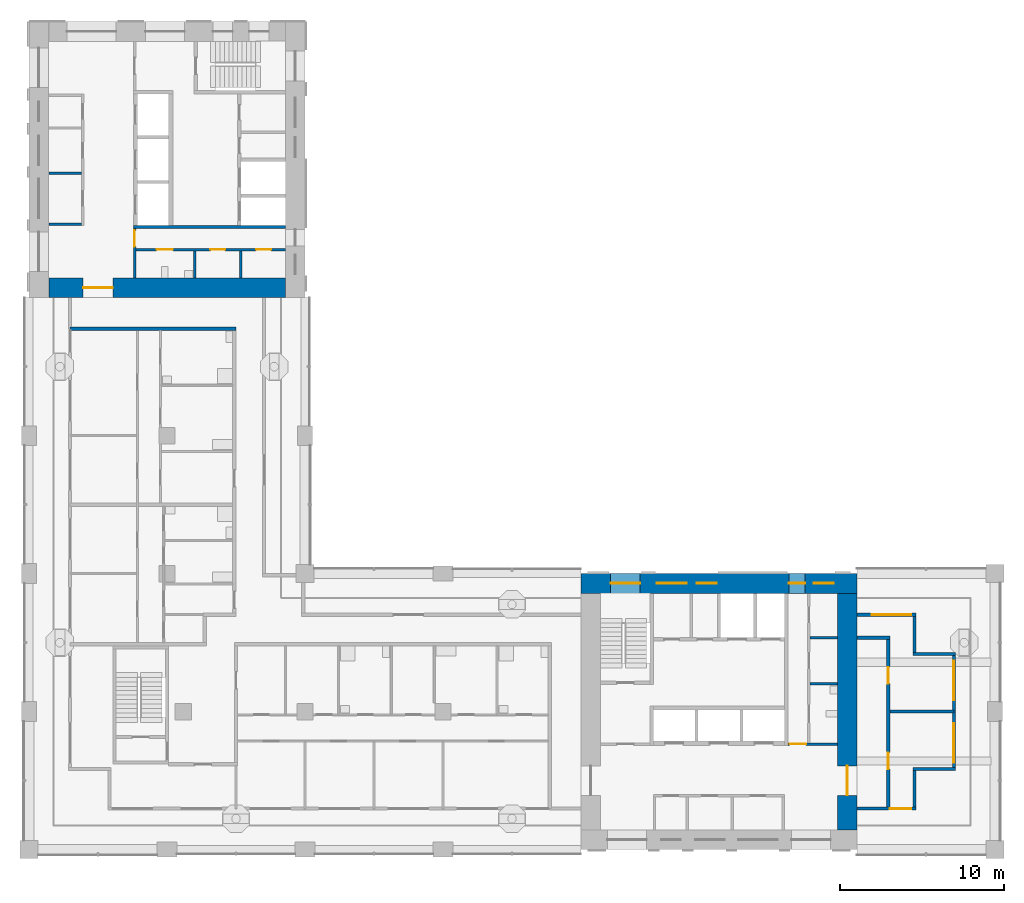
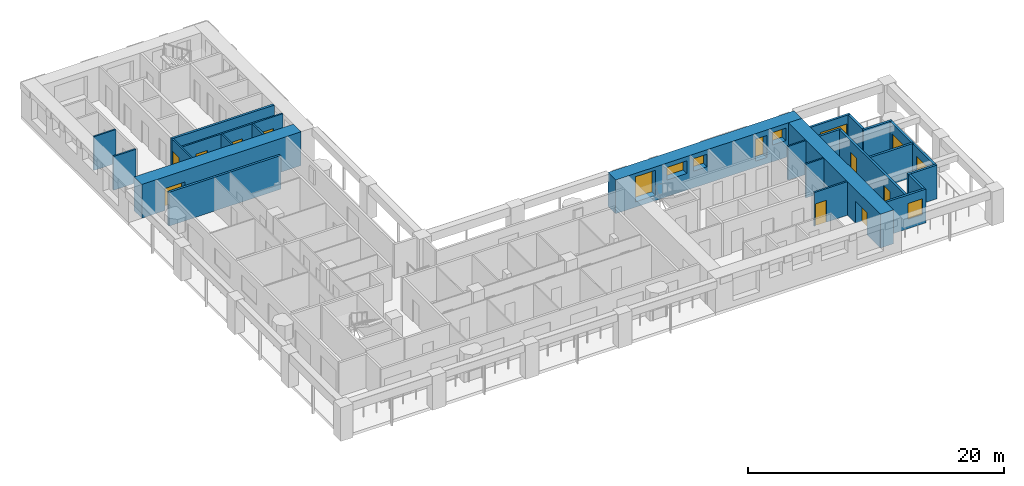
# One storey, part 5 of 13: 24 walls, 10 doors, 8 windows, 18 openings.
"""IFC4 building model written with IfcOpenShell, lengths in metres."""

import ifcopenshell
import ifcopenshell.guid

model = None  # the IFC model being written
_history = None  # IfcOwnerHistory: only IFC2X3 demands one
_inside = {}  # id of a spatial element -> (the spatial element, [elements in it])
_under = {}  # id of a project, library or spatial element -> (it, [spatial elements below it])
_declared = {}  # id of a project -> (the project, [libraries it declares])
_typed = {}  # id of a type object -> (the type object, [elements of that type])
_made_of = {}  # id of a material, layer set ... -> (it, [elements and type objects made of it])


def new_model(schema):
    """Start an empty IFC model of exactly this schema.

    Asked for "IFC4X3", IfcOpenShell would pick the latest addendum, in which some entities
    have other attributes; the version numbers below select the first issue.
    IFC2X3 requires an IfcOwnerHistory on every rooted entity: one is made here for all.
    """
    global model, _history
    if schema == "IFC4X3":
        model = ifcopenshell.file(schema_version=(4, 3, 0, 0))
    else:
        model = ifcopenshell.file(schema=schema)
    _inside.clear()
    _under.clear()
    _declared.clear()
    _typed.clear()
    _made_of.clear()
    _history = None
    if model.schema == "IFC2X3":
        org = make("IfcOrganization", Name="unknown")
        user = make(
            "IfcPersonAndOrganization",
            ThePerson=make("IfcPerson", FamilyName="unknown"),
            TheOrganization=org,
        )
        app = make(
            "IfcApplication",
            ApplicationDeveloper=org,
            Version="unknown",
            ApplicationFullName="unknown",
            ApplicationIdentifier="unknown",
        )
        _history = make(
            "IfcOwnerHistory",
            OwningUser=user,
            OwningApplication=app,
            ChangeAction="ADDED",
            CreationDate=0,
        )
    return model


def make(cls, **values):
    """One entity of the class cls with the attributes given. An attribute that is None is left unset."""
    return model.create_entity(
        cls, **{name: value for name, value in values.items() if value is not None}
    )


def rooted(cls, **values):
    """An entity with a GlobalId (a new one), such as an element, a storey or a relation."""
    return make(cls, GlobalId=ifcopenshell.guid.new(), OwnerHistory=_history, **values)


def si_unit(unit_type, name, prefix=None):
    """IfcSIUnit, for example si_unit("LENGTHUNIT", "METRE", prefix="MILLI")."""
    return make("IfcSIUnit", UnitType=unit_type, Prefix=prefix, Name=name)


def assignment(units):
    """IfcUnitAssignment: the units of a project."""
    return None if units is None else make("IfcUnitAssignment", Units=units)


def point(xyz):
    """IfcCartesianPoint."""
    return None if xyz is None else make("IfcCartesianPoint", Coordinates=xyz)


def direction(xyz):
    """IfcDirection."""
    return None if xyz is None else make("IfcDirection", DirectionRatios=xyz)


def frame(location, z_axis=None, x_axis=None):
    """IfcAxis2Placement3D, a coordinate frame: its origin and axes. An axis left out is left unset."""
    return make(
        "IfcAxis2Placement3D",
        Location=point(location),
        Axis=direction(z_axis),
        RefDirection=direction(x_axis),
    )


def frame_2d(location, x_axis=None):
    """IfcAxis2Placement2D, a coordinate frame in the plane: its origin and x axis."""
    return make(
        "IfcAxis2Placement2D", Location=point(location), RefDirection=direction(x_axis)
    )


def origin():
    """The frame at (0, 0, 0) with its axes left unset."""
    return frame((0.0, 0.0, 0.0))


def place(relative_to, where):
    """IfcLocalPlacement: puts the frame where relative to a parent placement (None: the world)."""
    return make(
        "IfcLocalPlacement", PlacementRelTo=relative_to, RelativePlacement=where
    )


def context(
    kind, dimensions, precision=None, world=None, true_north=None, identifier=None
):
    """IfcGeometricRepresentationContext, for example the 3D "Model" context."""
    return make(
        "IfcGeometricRepresentationContext",
        ContextIdentifier=identifier,
        ContextType=kind,
        CoordinateSpaceDimension=dimensions,
        Precision=precision,
        WorldCoordinateSystem=world,
        TrueNorth=true_north,
    )


def subcontext(parent, identifier, kind, view, scale=None):
    """IfcGeometricRepresentationSubContext, for example "Body" below "Model"."""
    return make(
        "IfcGeometricRepresentationSubContext",
        ContextIdentifier=identifier,
        ContextType=kind,
        ParentContext=parent,
        TargetScale=scale,
        TargetView=view,
    )


def project(units=None, contexts=None):
    """IfcProject with its units and contexts."""
    return rooted(
        "IfcProject",
        Name="project",
        RepresentationContexts=contexts,
        UnitsInContext=assignment(units),
    )


def spatial(cls, under=None, at=None, **own):
    """A site, building, storey or space (cls), placed at a placement, below another one or the project."""
    s = rooted(cls, ObjectPlacement=at, **own)
    if under is not None:
        _under.setdefault(under.id(), (under, []))[1].append(s)
    return s


def profile(cls, at=None, kind="AREA", **sizes):
    """A parametric profile (cls). Its sizes go by their IFC names, for example OverallWidth=200.0."""
    return make(cls, ProfileType=kind, Position=at, **sizes)


def rectangle(**sizes):
    """IfcRectangleProfileDef."""
    return profile("IfcRectangleProfileDef", **sizes)


def extrude(swept, where, along, depth):
    """IfcExtrudedAreaSolid: the profile swept, set in the frame where, extruded along a direction by depth."""
    return make(
        "IfcExtrudedAreaSolid",
        SweptArea=swept,
        Position=where,
        ExtrudedDirection=direction(along),
        Depth=depth,
    )


def shape(context_of_items, identifier, shape_type, items):
    """IfcShapeRepresentation: the items that make up one representation, for example the "Body"."""
    return make(
        "IfcShapeRepresentation",
        ContextOfItems=context_of_items,
        RepresentationIdentifier=identifier,
        RepresentationType=shape_type,
        Items=items,
    )


def material(Name=None, Category=None):
    """IfcMaterial."""
    return make("IfcMaterial", Name=Name, Category=Category)


def layer(
    of_material, thickness, ventilated=None, Name=None, Category=None, Priority=None
):
    """IfcMaterialLayer: one layer of a wall or slab, of a material (None: an air gap)."""
    return make(
        "IfcMaterialLayer",
        Material=of_material,
        LayerThickness=thickness,
        IsVentilated=ventilated,
        Name=Name,
        Category=Category,
        Priority=Priority,
    )


def layer_set(layers, Name=None):
    """IfcMaterialLayerSet."""
    return make("IfcMaterialLayerSet", MaterialLayers=layers, LayerSetName=Name)


def made_of(thing, what):
    """Note that an element or type object is made of a material, layer set ...; save() writes the relation."""
    if what is not None:
        _made_of.setdefault(what.id(), (what, []))[1].append(thing)
    return thing


def type_object(cls, material=None, **own):
    """A type object (cls), such as IfcWallType, which elements share."""
    return made_of(rooted(cls, **own), material)


def element(
    cls,
    number,
    at=None,
    inside=None,
    cuts=None,
    type_object=None,
    material=None,
    context=None,
    identifier="Body",
    shape_type=None,
    held_by="IfcProductDefinitionShape",
    body=None,
    shapes=None,
    **own,
):
    """One element of the class cls, such as IfcWall. Its Tag is "e" and its number.

    at: its placement. inside: the storey or other place that contains it. cuts: it is an
    opening in that element (IfcRelVoidsElement). A single representation is given by context,
    identifier, shape_type and body (its items); several are given by shapes. held_by: the class
    of the entity that holds the representations. save() writes the other relations.
    """
    e = rooted(cls, Tag="e%d" % number, ObjectPlacement=at, **own)
    if body is not None:
        shapes = [shape(context, identifier, shape_type, body)]
    if shapes is not None:
        e.Representation = make(held_by, Representations=shapes)
    if inside is not None:
        _inside.setdefault(inside.id(), (inside, []))[1].append(e)
    if cuts is not None:
        rooted(
            "IfcRelVoidsElement", RelatingBuildingElement=cuts, RelatedOpeningElement=e
        )
    if type_object is not None:
        _typed.setdefault(type_object.id(), (type_object, []))[1].append(e)
    return made_of(e, material)


def fill(opening, filler):
    """IfcRelFillsElement: the door or window that sits in an opening."""
    return rooted(
        "IfcRelFillsElement",
        RelatingOpeningElement=opening,
        RelatedBuildingElement=filler,
    )


def aggregate(whole, parts):
    """IfcRelAggregates: a whole, such as a stair, and the parts it consists of."""
    return rooted("IfcRelAggregates", RelatingObject=whole, RelatedObjects=parts)


def save(model, path):
    """Write the relations noted so far, then the file.

    IfcRelAggregates (storeys below a building ...), IfcRelContainedInSpatialStructure (elements
    in a storey), IfcRelDefinesByType, IfcRelAssociatesMaterial and IfcRelDeclares: one each for
    every whole, place, type object, material and project.
    """
    for whole, parts in _under.values():
        aggregate(whole, parts)
    for where, things in _inside.values():
        rooted(
            "IfcRelContainedInSpatialStructure",
            RelatedElements=things,
            RelatingStructure=where,
        )
    for kind, things in _typed.values():
        rooted("IfcRelDefinesByType", RelatedObjects=things, RelatingType=kind)
    for what, things in _made_of.values():
        rooted("IfcRelAssociatesMaterial", RelatedObjects=things, RelatingMaterial=what)
    for by, libraries in _declared.values():
        rooted("IfcRelDeclares", RelatingContext=by, RelatedDefinitions=libraries)
    model.write(path)


model = new_model("IFC4")

# Units and contexts
model_context = context("Model", 3, precision=1e-05, world=origin(), true_north=direction((0.0, 1.0)))
body_context = subcontext(model_context, "Body", "Model", "MODEL_VIEW")
ifc_project = project(units=[si_unit("LENGTHUNIT", "METRE"), si_unit("AREAUNIT", "SQUARE_METRE"), si_unit("VOLUMEUNIT", "CUBIC_METRE"), si_unit("PLANEANGLEUNIT", "RADIAN"), si_unit("MASSUNIT", "GRAM", prefix="KILO")], contexts=[model_context])

# Site, building, storey
site_placement = place(None, origin())
site = spatial("IfcSite", under=ifc_project, at=site_placement, CompositionType="ELEMENT")
building_placement = place(site_placement, origin())
building = spatial("IfcBuilding", under=site, at=building_placement, Name="Vermilion Gate Residences", CompositionType="ELEMENT")
storey_placement = place(building_placement, frame((0.0, 0.0, 151.199951171875)))
storey = spatial("IfcBuildingStorey", under=building, at=storey_placement, Name="L38", CompositionType="ELEMENT", Elevation=151.199951171875)

# Wall, opening, door
ifc_material_1 = material(Name="Masonry blockwork", Category="masonry")
ifc_layer_1 = layer(ifc_material_1, 0.14990234375)
ifc_layer_set_1 = layer_set([ifc_layer_1], Name="BLOCKWORK PARTITION 150 EI 120")
wall_type_1 = type_object("IfcWallType", Name="BLOCKWORK PARTITION 150 EI 120", PredefinedType="PARTITIONING", material=ifc_layer_set_1)
wall_1_placement = place(storey_placement, frame((54.60009765625, 14.824951171875, 0.0), z_axis=(0.0, 0.0, 1.0), x_axis=(1.0, 0.0, 0.0)))
wall_1 = element("IfcWall", 1, at=wall_1_placement, inside=storey, type_object=wall_type_1, Name="Core room partition A38-ES-S", PredefinedType="PARTITIONING", context=body_context, shape_type="SweptSolid", body=[
    extrude(rectangle(XDim=3.0, YDim=0.14990234375, at=frame_2d((1.5, 0.0))), origin(), (0.0, 0.0, 1.0), 3.219970703125),
])
opening_1_placement = place(wall_1_placement, frame((0.10009765625, 0.0, 0.0)))
opening_1 = element("IfcOpeningElement", 2, at=opening_1_placement, cuts=wall_1, Name="Opening DK38015", PredefinedType="OPENING", context=body_context, shape_type="SweptSolid", body=[
    extrude(rectangle(XDim=1.0, YDim=2.10009765625, at=frame_2d((0.5, 1.050048828125))), frame((0.0, 0.0849609375, 0.0), z_axis=(0.0, -1.0, 0.0), x_axis=(1.0, 0.0, 0.0)), (0.0, 0.0, 1.0), 0.169921875),
])
ifc_material_2 = material(Name="Steel", Category="steel")
door_type_1 = type_object("IfcDoorType", Name="FIRE DOOR FD60 1000 X 2100", OperationType="SINGLE_SWING_LEFT", PredefinedType="DOOR", material=ifc_material_2)
door_1_placement = place(opening_1_placement, frame((1.0, 0.0, 0.0), z_axis=(0.0, 0.0, 1.0), x_axis=(-1.0, 0.0, 0.0)))
door_1 = element("IfcDoor", 3, at=door_1_placement, inside=storey, type_object=door_type_1, Name="Service corridor door A38", OperationType="SINGLE_SWING_LEFT", OverallHeight=2.10009765625, OverallWidth=1.0, PredefinedType="DOOR", context=body_context, shape_type="SweptSolid", body=[
    extrude(rectangle(XDim=1.0, YDim=2.10009765625, at=frame_2d((0.5, 1.050048828125))), frame((0.0, 0.02490234375, 0.0), z_axis=(0.0, -1.0, 0.0), x_axis=(1.0, 0.0, 0.0)), (0.0, 0.0, 1.0), 0.050048828125),
])
fill(opening_1, door_1)

# Walls
for number, where, z_axis, x_axis, name in (
    (4, (55.949951171875, 18.4951171875, 0.0), (0.0, 0.0, 1.0), (1.0, 0.0, 0.0), "Core room partition A38-ES-P0"),
    (5, (55.949951171875, 21.284912109375, 0.0), (0.0, 0.0, 1.0), (1.0, 0.0, 0.0), "Core room partition A38-ES-P1"),
):
    element("IfcWall", number, at=place(storey_placement, frame(where, z_axis=z_axis, x_axis=x_axis)), inside=storey, type_object=wall_type_1, Name=name, PredefinedType="PARTITIONING", context=body_context, shape_type="SweptSolid", body=[
        extrude(rectangle(XDim=1.650146484375, YDim=0.14990234375, at=frame_2d((0.8251953125, 0.0))), origin(), (0.0, 0.0, 1.0), 3.219970703125),
    ])
for number, where, z_axis, x_axis, name in (
    (6, (9.60009765625, 46.47509765625, 0.0), (0.0, 0.0, 1.0), (1.0, 0.0, 0.0), "Core room partition B38-RW-E"),
    (7, (9.60009765625, 49.5849609375, 0.0), (0.0, 0.0, 1.0), (1.0, 0.0, 0.0), "Core room partition B38-SR-P1"),
):
    element("IfcWall", number, at=place(storey_placement, frame(where, z_axis=z_axis, x_axis=x_axis)), inside=storey, type_object=wall_type_1, Name=name, PredefinedType="PARTITIONING", context=body_context, shape_type="SweptSolid", body=[
        extrude(rectangle(XDim=2.0, YDim=0.14990234375, at=frame_2d((1.0, 0.0))), origin(), (0.0, 0.0, 1.0), 3.219970703125),
    ])

# Wall, opening, door
wall_2_placement = place(storey_placement, frame((14.824951171875, 46.199951171875, 0.0), z_axis=(0.0, 0.0, 1.0), x_axis=(0.0, -1.0, 0.0)))
wall_2 = element("IfcWall", 8, at=wall_2_placement, inside=storey, type_object=wall_type_1, Name="Core room partition B38-ES-S", PredefinedType="PARTITIONING", context=body_context, shape_type="SweptSolid", body=[
    extrude(rectangle(XDim=3.0, YDim=0.14990234375, at=frame_2d((1.5, 0.0))), origin(), (0.0, 0.0, 1.0), 3.219970703125),
])
opening_2_placement = place(wall_2_placement, frame((0.10009765625, 0.0, 0.0)))
opening_2 = element("IfcOpeningElement", 9, at=opening_2_placement, cuts=wall_2, Name="Opening DK38114", PredefinedType="OPENING", context=body_context, shape_type="SweptSolid", body=[
    extrude(rectangle(XDim=1.0, YDim=2.10009765625, at=frame_2d((0.5, 1.050048828125))), frame((0.0, 0.0849609375, 0.0), z_axis=(0.0, -1.0, 0.0), x_axis=(1.0, 0.0, 0.0)), (0.0, 0.0, 1.0), 0.169921875),
])
door_2_placement = place(opening_2_placement, frame((1.0, 0.0, 0.0), z_axis=(0.0, 0.0, 1.0), x_axis=(-1.0, 0.0, 0.0)))
door_2 = element("IfcDoor", 10, at=door_2_placement, inside=storey, type_object=door_type_1, Name="Service corridor door B38", OperationType="SINGLE_SWING_LEFT", OverallHeight=2.10009765625, OverallWidth=1.0, PredefinedType="DOOR", context=body_context, shape_type="SweptSolid", body=[
    extrude(rectangle(XDim=1.0, YDim=2.10009765625, at=frame_2d((0.5, 1.050048828125))), frame((0.0, 0.02490234375, 0.0), z_axis=(0.0, -1.0, 0.0), x_axis=(1.0, 0.0, 0.0)), (0.0, 0.0, 1.0), 0.050048828125),
])
fill(opening_2, door_2)

# Walls
for number, where, z_axis, x_axis, name in (
    (11, (18.4951171875, 44.85009765625, 0.0), (0.0, 0.0, 1.0), (0.0, -1.0, 0.0), "Core room partition B38-ES-P0"),
    (12, (21.284912109375, 44.85009765625, 0.0), (0.0, 0.0, 1.0), (0.0, -1.0, 0.0), "Core room partition B38-ES-P1"),
):
    element("IfcWall", number, at=place(storey_placement, frame(where, z_axis=z_axis, x_axis=x_axis)), inside=storey, type_object=wall_type_1, Name=name, PredefinedType="PARTITIONING", context=body_context, shape_type="SweptSolid", body=[
        extrude(rectangle(XDim=1.650146484375, YDim=0.14990234375, at=frame_2d((0.8251953125, 0.0))), origin(), (0.0, 0.0, 1.0), 3.219970703125),
    ])

# Wall, openings, doors
wall_3_placement = place(storey_placement, frame((14.89990234375, 44.925048828125, 0.0), z_axis=(0.0, 0.0, 1.0), x_axis=(1.0, 0.0, 0.0)))
wall_3 = element("IfcWall", 13, at=wall_3_placement, inside=storey, type_object=wall_type_1, Name="Core room partition B38-ES-W", PredefinedType="PARTITIONING", context=body_context, shape_type="SweptSolid", body=[
    extrude(rectangle(XDim=9.10009765625, YDim=0.14990234375, at=frame_2d((4.550048828125, 0.0))), origin(), (0.0, 0.0, 1.0), 3.219970703125),
])
opening_3_placement = place(wall_3_placement, frame((1.260009765625, 0.0, 0.0)))
opening_3 = element("IfcOpeningElement", 14, at=opening_3_placement, cuts=wall_3, Name="Opening DK38115", PredefinedType="OPENING", context=body_context, shape_type="SweptSolid", body=[
    extrude(rectangle(XDim=1.0, YDim=2.10009765625, at=frame_2d((0.5, 1.050048828125))), frame((0.0, 0.0849609375, 0.0), z_axis=(0.0, -1.0, 0.0), x_axis=(1.0, 0.0, 0.0)), (0.0, 0.0, 1.0), 0.169921875),
])
opening_4_placement = place(wall_3_placement, frame((4.5400390625, 0.0, 0.0)))
opening_4 = element("IfcOpeningElement", 15, at=opening_4_placement, cuts=wall_3, Name="Opening DK38116", PredefinedType="OPENING", context=body_context, shape_type="SweptSolid", body=[
    extrude(rectangle(XDim=0.89990234375, YDim=2.10009765625, at=frame_2d((0.449951171875, 1.050048828125))), frame((0.0, 0.0849609375, 0.0), z_axis=(0.0, -1.0, 0.0), x_axis=(1.0, 0.0, 0.0)), (0.0, 0.0, 1.0), 0.169921875),
])
opening_5_placement = place(wall_3_placement, frame((7.330078125, 0.0, 0.0)))
opening_5 = element("IfcOpeningElement", 16, at=opening_5_placement, cuts=wall_3, Name="Opening DK38117", PredefinedType="OPENING", context=body_context, shape_type="SweptSolid", body=[
    extrude(rectangle(XDim=0.89990234375, YDim=2.10009765625, at=frame_2d((0.449951171875, 1.050048828125))), frame((0.0, 0.0849609375, 0.0), z_axis=(0.0, -1.0, 0.0), x_axis=(1.0, 0.0, 0.0)), (0.0, 0.0, 1.0), 0.169921875),
])
door_3_placement = place(opening_3_placement, frame((1.0, 0.0, 0.0), z_axis=(0.0, 0.0, 1.0), x_axis=(-1.0, 0.0, 0.0)))
door_3 = element("IfcDoor", 17, at=door_3_placement, inside=storey, type_object=door_type_1, Name="Accessible WC B38", OperationType="SINGLE_SWING_RIGHT", OverallHeight=2.10009765625, OverallWidth=1.0, PredefinedType="DOOR", context=body_context, shape_type="SweptSolid", body=[
    extrude(rectangle(XDim=1.0, YDim=2.10009765625, at=frame_2d((0.5, 1.050048828125))), frame((0.0, 0.02490234375, 0.0), z_axis=(0.0, -1.0, 0.0), x_axis=(1.0, 0.0, 0.0)), (0.0, 0.0, 1.0), 0.050048828125),
])
fill(opening_3, door_3)
ifc_material_3 = material(Name="Steel", Category="steel")
door_type_2 = type_object("IfcDoorType", Name="SERVICE ROOM DOOR FD60 900 X 2100", OperationType="SINGLE_SWING_LEFT", PredefinedType="DOOR", material=ifc_material_3)
door_4_placement = place(opening_4_placement, frame((0.89990234375, 0.0, 0.0), z_axis=(0.0, 0.0, 1.0), x_axis=(-1.0, 0.0, 0.0)))
door_4 = element("IfcDoor", 18, at=door_4_placement, inside=storey, type_object=door_type_2, Name="Refuse room B38", OperationType="SINGLE_SWING_RIGHT", OverallHeight=2.10009765625, OverallWidth=0.89990234375, PredefinedType="DOOR", context=body_context, shape_type="SweptSolid", body=[
    extrude(rectangle(XDim=0.89990234375, YDim=2.10009765625, at=frame_2d((0.449951171875, 1.050048828125))), frame((0.0, 0.02490234375, 0.0), z_axis=(0.0, -1.0, 0.0), x_axis=(1.0, 0.0, 0.0)), (0.0, 0.0, 1.0), 0.050048828125),
])
fill(opening_4, door_4)
door_5_placement = place(opening_5_placement, frame((0.89990234375, 0.0, 0.0), z_axis=(0.0, 0.0, 1.0), x_axis=(-1.0, 0.0, 0.0)))
door_5 = element("IfcDoor", 19, at=door_5_placement, inside=storey, type_object=door_type_2, Name="Parcel room B38", OperationType="SINGLE_SWING_LEFT", OverallHeight=2.10009765625, OverallWidth=0.89990234375, PredefinedType="DOOR", context=body_context, shape_type="SweptSolid", body=[
    extrude(rectangle(XDim=0.89990234375, YDim=2.10009765625, at=frame_2d((0.449951171875, 1.050048828125))), frame((0.0, 0.02490234375, 0.0), z_axis=(0.0, -1.0, 0.0), x_axis=(1.0, 0.0, 0.0)), (0.0, 0.0, 1.0), 0.050048828125),
])
fill(opening_5, door_5)

# Wall, opening, window
ifc_material_4 = material(Name="Insulated steel stud wall with terracotta rainscreen", Category="masonry")
ifc_layer_2 = layer(ifc_material_4, 0.199951171875)
ifc_layer_set_2 = layer_set([ifc_layer_2], Name="EXTERNAL WALL 200 TERRACOTTA RAINSCREEN")
wall_type_2 = type_object("IfcWallType", Name="EXTERNAL WALL 200 TERRACOTTA RAINSCREEN", PredefinedType="SOLIDWALL", material=ifc_layer_set_2)
wall_4_placement = place(storey_placement, frame((58.800048828125, 10.89990234375, 0.0), z_axis=(0.0, 0.0, 1.0), x_axis=(1.0, 0.0, 0.0)))
wall_4 = element("IfcWall", 20, at=wall_4_placement, inside=storey, type_object=wall_type_2, Name="External wall", PredefinedType="SOLIDWALL", context=body_context, shape_type="SweptSolid", body=[
    extrude(rectangle(XDim=3.599853515625, YDim=0.199951171875, at=frame_2d((1.7998046875, 0.0))), origin(), (0.0, 0.0, 1.0), 3.219970703125),
])
opening_6_placement = place(wall_4_placement, frame((2.0, 0.0, 0.89990234375)))
opening_6 = element("IfcOpeningElement", 21, at=opening_6_placement, cuts=wall_4, Name="Opening WE38015", PredefinedType="OPENING", context=body_context, shape_type="SweptSolid", body=[
    extrude(rectangle(XDim=1.300048828125, YDim=1.5, at=frame_2d((0.64990234375, 0.75))), frame((0.0, 0.10986328125, 0.0), z_axis=(0.0, -1.0, 0.0), x_axis=(1.0, 0.0, 0.0)), (0.0, 0.0, 1.0), 0.219970703125),
])
ifc_material_5 = material(Name="Aluminium and clear glass", Category="aluminium")
window_type_1 = type_object("IfcWindowType", Name="WINDOW 1300 X 1500", PartitioningType="SINGLE_PANEL", PredefinedType="WINDOW", material=ifc_material_5)
window_1_placement = place(opening_6_placement, origin())
window_1 = element("IfcWindow", 22, at=window_1_placement, inside=storey, type_object=window_type_1, Name="Window", OverallHeight=1.5, OverallWidth=1.300048828125, PartitioningType="SINGLE_PANEL", PredefinedType="WINDOW", context=body_context, shape_type="SweptSolid", body=[
    extrude(rectangle(XDim=1.300048828125, YDim=1.5, at=frame_2d((0.64990234375, 0.75))), frame((0.0, 0.030029296875, 0.0), z_axis=(0.0, -1.0, 0.0), x_axis=(1.0, 0.0, 0.0)), (0.0, 0.0, 1.0), 0.06005859375),
])
fill(opening_6, window_1)

# Walls
wall_5_placement = place(storey_placement, frame((62.300048828125, 11.0, 0.0), z_axis=(0.0, 0.0, 1.0), x_axis=(0.0, 1.0, 0.0)))
element("IfcWall", 23, at=wall_5_placement, inside=storey, type_object=wall_type_2, Name="External wall", PredefinedType="SOLIDWALL", context=body_context, shape_type="SweptSolid", body=[
    extrude(rectangle(XDim=2.199951171875, YDim=0.199951171875, at=frame_2d((1.10009765625, 0.0))), origin(), (0.0, 0.0, 1.0), 3.219970703125),
])
wall_6_placement = place(storey_placement, frame((62.199951171875, 13.300048828125, 0.0), z_axis=(0.0, 0.0, 1.0), x_axis=(1.0, 0.0, 0.0)))
element("IfcWall", 24, at=wall_6_placement, inside=storey, type_object=wall_type_2, Name="External wall", PredefinedType="SOLIDWALL", context=body_context, shape_type="SweptSolid", body=[
    extrude(rectangle(XDim=2.60009765625, YDim=0.199951171875, at=frame_2d((1.300048828125, 0.0))), origin(), (0.0, 0.0, 1.0), 3.219970703125),
])

# Wall, openings, door, window
wall_7_placement = place(storey_placement, frame((64.699951171875, 13.39990234375, 0.0), z_axis=(0.0, 0.0, 1.0), x_axis=(0.0, 1.0, 0.0)))
wall_7 = element("IfcWall", 25, at=wall_7_placement, inside=storey, type_object=wall_type_2, Name="External wall", PredefinedType="SOLIDWALL", context=body_context, shape_type="SweptSolid", body=[
    extrude(rectangle(XDim=6.800048828125, YDim=0.199951171875, at=frame_2d((3.39990234375, 0.0))), origin(), (0.0, 0.0, 1.0), 3.219970703125),
])
opening_7_placement = place(wall_7_placement, frame((0.300048828125, 0.0, 0.89990234375)))
opening_7 = element("IfcOpeningElement", 26, at=opening_7_placement, cuts=wall_7, Name="Opening WE38016", PredefinedType="OPENING", context=body_context, shape_type="SweptSolid", body=[
    extrude(rectangle(XDim=2.39990234375, YDim=1.5, at=frame_2d((1.199951171875, 0.75))), frame((0.0, 0.10986328125, 0.0), z_axis=(0.0, -1.0, 0.0), x_axis=(1.0, 0.0, 0.0)), (0.0, 0.0, 1.0), 0.219970703125),
])
opening_8_placement = place(wall_7_placement, frame((4.10009765625, 0.0, 0.0)))
opening_8 = element("IfcOpeningElement", 27, at=opening_8_placement, cuts=wall_7, Name="Opening DE38019", PredefinedType="OPENING", context=body_context, shape_type="SweptSolid", body=[
    extrude(rectangle(XDim=2.39990234375, YDim=2.199951171875, at=frame_2d((1.199951171875, 1.10009765625))), frame((0.0, 0.10986328125, 0.0), z_axis=(0.0, -1.0, 0.0), x_axis=(1.0, 0.0, 0.0)), (0.0, 0.0, 1.0), 0.219970703125),
])
ifc_material_6 = material(Name="Aluminium and clear glass", Category="aluminium")
door_type_3 = type_object("IfcDoorType", Name="SLIDING GLAZED DOOR 2400 X 2200", OperationType="DOUBLE_DOOR_SLIDING", PredefinedType="DOOR", material=ifc_material_6)
door_6_placement = place(opening_8_placement, origin())
door_6 = element("IfcDoor", 28, at=door_6_placement, inside=storey, type_object=door_type_3, Name="Loggia sliding door", OperationType="DOUBLE_DOOR_SLIDING", OverallHeight=2.199951171875, OverallWidth=2.39990234375, PredefinedType="DOOR", context=body_context, shape_type="SweptSolid", body=[
    extrude(rectangle(XDim=2.39990234375, YDim=2.199951171875, at=frame_2d((1.199951171875, 1.10009765625))), frame((0.0, 0.02490234375, 0.0), z_axis=(0.0, -1.0, 0.0), x_axis=(1.0, 0.0, 0.0)), (0.0, 0.0, 1.0), 0.050048828125),
])
fill(opening_8, door_6)
ifc_material_7 = material(Name="Aluminium and clear glass", Category="aluminium")
window_type_2 = type_object("IfcWindowType", Name="WINDOW 2400 X 1500", PartitioningType="SINGLE_PANEL", PredefinedType="WINDOW", material=ifc_material_7)
window_2_placement = place(opening_7_placement, origin())
window_2 = element("IfcWindow", 29, at=window_2_placement, inside=storey, type_object=window_type_2, Name="Window", OverallHeight=1.5, OverallWidth=2.39990234375, PartitioningType="SINGLE_PANEL", PredefinedType="WINDOW", context=body_context, shape_type="SweptSolid", body=[
    extrude(rectangle(XDim=2.39990234375, YDim=1.5, at=frame_2d((1.199951171875, 0.75))), frame((0.0, 0.030029296875, 0.0), z_axis=(0.0, -1.0, 0.0), x_axis=(1.0, 0.0, 0.0)), (0.0, 0.0, 1.0), 0.06005859375),
])
fill(opening_7, window_2)

# Walls
wall_8_placement = place(storey_placement, frame((64.800048828125, 20.300048828125, 0.0), z_axis=(0.0, 0.0, 1.0), x_axis=(-1.0, 0.0, 0.0)))
element("IfcWall", 30, at=wall_8_placement, inside=storey, type_object=wall_type_2, Name="External wall", PredefinedType="SOLIDWALL", context=body_context, shape_type="SweptSolid", body=[
    extrude(rectangle(XDim=2.60009765625, YDim=0.199951171875, at=frame_2d((1.300048828125, 0.0))), origin(), (0.0, 0.0, 1.0), 3.219970703125),
])
wall_9_placement = place(storey_placement, frame((62.300048828125, 20.39990234375, 0.0), z_axis=(0.0, 0.0, 1.0), x_axis=(0.0, 1.0, 0.0)))
element("IfcWall", 31, at=wall_9_placement, inside=storey, type_object=wall_type_2, Name="External wall", PredefinedType="SOLIDWALL", context=body_context, shape_type="SweptSolid", body=[
    extrude(rectangle(XDim=2.2001953125, YDim=0.199951171875, at=frame_2d((1.10009765625, 0.0))), origin(), (0.0, 0.0, 1.0), 3.219970703125),
])

# Wall, opening, window
wall_10_placement = place(storey_placement, frame((62.39990234375, 22.699951171875, 0.0), z_axis=(0.0, 0.0, 1.0), x_axis=(-1.0, 0.0, 0.0)))
wall_10 = element("IfcWall", 32, at=wall_10_placement, inside=storey, type_object=wall_type_2, Name="External wall", PredefinedType="SOLIDWALL", context=body_context, shape_type="SweptSolid", body=[
    extrude(rectangle(XDim=3.599853515625, YDim=0.199951171875, at=frame_2d((1.7998046875, 0.0))), origin(), (0.0, 0.0, 1.0), 3.219970703125),
])
opening_9_placement = place(wall_10_placement, frame((0.300048828125, 0.0, 0.89990234375)))
opening_9 = element("IfcOpeningElement", 33, at=opening_9_placement, cuts=wall_10, Name="Opening WE38018", PredefinedType="OPENING", context=body_context, shape_type="SweptSolid", body=[
    extrude(rectangle(XDim=2.39990234375, YDim=1.5, at=frame_2d((1.199951171875, 0.75))), frame((0.0, 0.10986328125, 0.0), z_axis=(0.0, -1.0, 0.0), x_axis=(1.0, 0.0, 0.0)), (0.0, 0.0, 1.0), 0.219970703125),
])
window_3_placement = place(opening_9_placement, origin())
window_3 = element("IfcWindow", 34, at=window_3_placement, inside=storey, type_object=window_type_2, Name="Window", OverallHeight=1.5, OverallWidth=2.39990234375, PartitioningType="SINGLE_PANEL", PredefinedType="WINDOW", context=body_context, shape_type="SweptSolid", body=[
    extrude(rectangle(XDim=2.39990234375, YDim=1.5, at=frame_2d((1.199951171875, 0.75))), frame((0.0, 0.030029296875, 0.0), z_axis=(0.0, -1.0, 0.0), x_axis=(1.0, 0.0, 0.0)), (0.0, 0.0, 1.0), 0.06005859375),
])
fill(opening_9, window_3)

# Walls
ifc_material_8 = material(Name="Fire-rated plasterboard on steel studs", Category="steel")
ifc_layer_3 = layer(ifc_material_8, 0.199951171875)
ifc_layer_set_3 = layer_set([ifc_layer_3], Name="PARTY WALL 200 EI 120")
wall_type_3 = type_object("IfcWallType", Name="PARTY WALL 200 EI 120", PredefinedType="PARTITIONING", material=ifc_layer_set_3)
wall_11_placement = place(storey_placement, frame((60.800048828125, 16.800048828125, 0.0), z_axis=(0.0, 0.0, 1.0), x_axis=(1.0, 0.0, 0.0)))
element("IfcWall", 35, at=wall_11_placement, inside=storey, type_object=wall_type_3, Name="Party and corridor wall", PredefinedType="PARTITIONING", context=body_context, shape_type="SweptSolid", body=[
    extrude(rectangle(XDim=3.89990234375, YDim=0.199951171875, at=frame_2d((1.949951171875, 0.0))), origin(), (0.0, 0.0, 1.0), 3.219970703125),
])
wall_12_placement = place(storey_placement, frame((58.800048828125, 21.300048828125, 0.0), z_axis=(0.0, 0.0, 1.0), x_axis=(1.0, 0.0, 0.0)))
element("IfcWall", 36, at=wall_12_placement, inside=storey, type_object=wall_type_3, Name="Party and corridor wall", PredefinedType="PARTITIONING", context=body_context, shape_type="SweptSolid", body=[
    extrude(rectangle(XDim=2.0, YDim=0.199951171875, at=frame_2d((1.0, 0.0))), origin(), (0.0, 0.0, 1.0), 3.219970703125),
])
wall_13_placement = place(storey_placement, frame((10.89990234375, 40.10009765625, 0.0), z_axis=(0.0, 0.0, 1.0), x_axis=(1.0, 0.0, 0.0)))
element("IfcWall", 37, at=wall_13_placement, inside=storey, type_object=wall_type_3, Name="Party and corridor wall", PredefinedType="PARTITIONING", context=body_context, shape_type="SweptSolid", body=[
    extrude(rectangle(XDim=10.10009765625, YDim=0.199951171875, at=frame_2d((5.050048828125, 0.0))), origin(), (0.0, 0.0, 1.0), 3.219970703125),
])

# Wall, openings, doors
wall_14_placement = place(storey_placement, frame((60.699951171875, 10.89990234375, 0.0), z_axis=(0.0, 0.0, 1.0), x_axis=(0.0, 1.0, 0.0)))
wall_14 = element("IfcWall", 38, at=wall_14_placement, inside=storey, type_object=wall_type_3, Name="Party and corridor wall", PredefinedType="PARTITIONING", context=body_context, shape_type="SweptSolid", body=[
    extrude(rectangle(XDim=10.300048828125, YDim=0.199951171875, at=frame_2d((5.14990234375, 0.0))), origin(), (0.0, 0.0, 1.0), 3.219970703125),
])
opening_10_placement = place(wall_14_placement, frame((2.39990234375, 0.0, 0.0)))
opening_10 = element("IfcOpeningElement", 39, at=opening_10_placement, cuts=wall_14, Name="Opening DA37026", PredefinedType="OPENING", context=body_context, shape_type="SweptSolid", body=[
    extrude(rectangle(XDim=1.0, YDim=2.10009765625, at=frame_2d((0.5, 1.050048828125))), frame((0.0, 0.10986328125, 0.0), z_axis=(0.0, -1.0, 0.0), x_axis=(1.0, 0.0, 0.0)), (0.0, 0.0, 1.0), 0.219970703125),
])
opening_11_placement = place(wall_14_placement, frame((7.60009765625, 0.0, 0.0)))
opening_11 = element("IfcOpeningElement", 40, at=opening_11_placement, cuts=wall_14, Name="Opening DA37027", PredefinedType="OPENING", context=body_context, shape_type="SweptSolid", body=[
    extrude(rectangle(XDim=1.0, YDim=2.10009765625, at=frame_2d((0.5, 1.050048828125))), frame((0.0, 0.10986328125, 0.0), z_axis=(0.0, -1.0, 0.0), x_axis=(1.0, 0.0, 0.0)), (0.0, 0.0, 1.0), 0.219970703125),
])
ifc_material_9 = material(Name="Steel", Category="steel")
door_type_4 = type_object("IfcDoorType", Name="ENTRANCE DOOR 1000 X 2100 FD30", OperationType="SINGLE_SWING_LEFT", PredefinedType="DOOR", material=ifc_material_9)
door_7_placement = place(opening_10_placement, frame((1.0, 0.0, 0.0), z_axis=(0.0, 0.0, 1.0), x_axis=(-1.0, 0.0, 0.0)))
door_7 = element("IfcDoor", 41, at=door_7_placement, inside=storey, type_object=door_type_4, Name="Entrance door", OperationType="SINGLE_SWING_RIGHT", OverallHeight=2.10009765625, OverallWidth=1.0, PredefinedType="DOOR", context=body_context, shape_type="SweptSolid", body=[
    extrude(rectangle(XDim=1.0, YDim=2.10009765625, at=frame_2d((0.5, 1.050048828125))), frame((0.0, 0.02490234375, 0.0), z_axis=(0.0, -1.0, 0.0), x_axis=(1.0, 0.0, 0.0)), (0.0, 0.0, 1.0), 0.050048828125),
])
fill(opening_10, door_7)
door_8_placement = place(opening_11_placement, frame((1.0, 0.0, 0.0), z_axis=(0.0, 0.0, 1.0), x_axis=(-1.0, 0.0, 0.0)))
door_8 = element("IfcDoor", 42, at=door_8_placement, inside=storey, type_object=door_type_4, Name="Entrance door", OperationType="SINGLE_SWING_RIGHT", OverallHeight=2.10009765625, OverallWidth=1.0, PredefinedType="DOOR", context=body_context, shape_type="SweptSolid", body=[
    extrude(rectangle(XDim=1.0, YDim=2.10009765625, at=frame_2d((0.5, 1.050048828125))), frame((0.0, 0.02490234375, 0.0), z_axis=(0.0, -1.0, 0.0), x_axis=(1.0, 0.0, 0.0)), (0.0, 0.0, 1.0), 0.050048828125),
])
fill(opening_11, door_8)

# Wall
ifc_material_10 = material(Name="Concrete C60", Category="concrete")
ifc_layer_4 = layer(ifc_material_10, 0.199951171875)
ifc_layer_set_4 = layer_set([ifc_layer_4], Name="RC CORE INTERNAL WALL 200 C60")
wall_type_4 = type_object("IfcWallType", Name="RC CORE INTERNAL WALL 200 C60", PredefinedType="SHEAR", material=ifc_layer_set_4)
wall_15_placement = place(storey_placement, frame((14.75, 46.300048828125, 0.0), z_axis=(0.0, 0.0, 1.0), x_axis=(1.0, 0.0, 0.0)))
element("IfcWall", 43, at=wall_15_placement, inside=storey, type_object=wall_type_4, Name="Core internal wall B38-EDIV", PredefinedType="SHEAR", context=body_context, shape_type="SweptSolid", body=[
    extrude(rectangle(XDim=9.25, YDim=0.199951171875, at=frame_2d((4.625, 0.0))), origin(), (0.0, 0.0, 1.0), 3.219970703125),
])

# Wall, opening, door
ifc_material_11 = material(Name="Concrete C60", Category="concrete")
ifc_layer_5 = layer(ifc_material_11, 1.199951171875)
ifc_layer_set_5 = layer_set([ifc_layer_5], Name="RC CORE WALL 1200 C60")
wall_type_5 = type_object("IfcWallType", Name="RC CORE WALL 1200 C60", PredefinedType="SHEAR", material=ifc_layer_set_5)
wall_16_placement = place(storey_placement, frame((58.199951171875, 9.60009765625, 0.0), z_axis=(0.0, 0.0, 1.0), x_axis=(0.0, 1.0, 0.0)))
wall_16 = element("IfcWall", 44, at=wall_16_placement, inside=storey, type_object=wall_type_5, Name="Core wall A38-OUT-BK", PredefinedType="SHEAR", context=body_context, shape_type="SweptSolid", body=[
    extrude(rectangle(XDim=14.39990234375, YDim=1.199951171875, at=frame_2d((7.199951171875, 0.0))), origin(), (0.0, 0.0, 1.0), 3.219970703125),
])
opening_12_placement = place(wall_16_placement, frame((2.10009765625, 0.0, 0.0)))
opening_12 = element("IfcOpeningElement", 45, at=opening_12_placement, cuts=wall_16, Name="Opening DK38002", PredefinedType="OPENING", context=body_context, shape_type="SweptSolid", body=[
    extrude(rectangle(XDim=1.800048828125, YDim=2.10009765625, at=frame_2d((0.89990234375, 1.050048828125))), frame((0.0, 0.60986328125, 0.0), z_axis=(0.0, -1.0, 0.0), x_axis=(1.0, 0.0, 0.0)), (0.0, 0.0, 1.0), 1.219970703125),
])
ifc_material_12 = material(Name="Steel", Category="steel")
door_type_5 = type_object("IfcDoorType", Name="CORE LOBBY DOOR FD60 1800 X 2100", OperationType="DOUBLE_DOOR_SINGLE_SWING", PredefinedType="DOOR", material=ifc_material_12)
door_9_placement = place(opening_12_placement, origin())
door_9 = element("IfcDoor", 46, at=door_9_placement, inside=storey, type_object=door_type_5, Name="Core lobby door A38", OperationType="DOUBLE_DOOR_SINGLE_SWING", OverallHeight=2.10009765625, OverallWidth=1.800048828125, PredefinedType="DOOR", context=body_context, shape_type="SweptSolid", body=[
    extrude(rectangle(XDim=1.800048828125, YDim=2.10009765625, at=frame_2d((0.89990234375, 1.050048828125))), frame((0.0, 0.02490234375, 0.0), z_axis=(0.0, -1.0, 0.0), x_axis=(1.0, 0.0, 0.0)), (0.0, 0.0, 1.0), 0.050048828125),
])
fill(opening_12, door_9)

wall_17_placement = place(storey_placement, frame((9.60009765625, 42.60009765625, 0.0), z_axis=(0.0, 0.0, 1.0), x_axis=(1.0, 0.0, 0.0)))
wall_17 = element("IfcWall", 47, at=wall_17_placement, inside=storey, type_object=wall_type_5, Name="Core wall B38-OUT-BK", PredefinedType="SHEAR", context=body_context, shape_type="SweptSolid", body=[
    extrude(rectangle(XDim=14.39990234375, YDim=1.199951171875, at=frame_2d((7.199951171875, 0.0))), origin(), (0.0, 0.0, 1.0), 3.219970703125),
])
opening_13_placement = place(wall_17_placement, frame((2.10009765625, 0.0, 0.0)))
opening_13 = element("IfcOpeningElement", 48, at=opening_13_placement, cuts=wall_17, Name="Opening DK38101", PredefinedType="OPENING", context=body_context, shape_type="SweptSolid", body=[
    extrude(rectangle(XDim=1.800048828125, YDim=2.10009765625, at=frame_2d((0.89990234375, 1.050048828125))), frame((0.0, 0.60986328125, 0.0), z_axis=(0.0, -1.0, 0.0), x_axis=(1.0, 0.0, 0.0)), (0.0, 0.0, 1.0), 1.219970703125),
])
door_10_placement = place(opening_13_placement, frame((1.800048828125, 0.0, 0.0), z_axis=(0.0, 0.0, 1.0), x_axis=(-1.0, 0.0, 0.0)))
door_10 = element("IfcDoor", 49, at=door_10_placement, inside=storey, type_object=door_type_5, Name="Core lobby door B38", OperationType="DOUBLE_DOOR_SINGLE_SWING", OverallHeight=2.10009765625, OverallWidth=1.800048828125, PredefinedType="DOOR", context=body_context, shape_type="SweptSolid", body=[
    extrude(rectangle(XDim=1.800048828125, YDim=2.10009765625, at=frame_2d((0.89990234375, 1.050048828125))), frame((0.0, 0.02490234375, 0.0), z_axis=(0.0, -1.0, 0.0), x_axis=(1.0, 0.0, 0.0)), (0.0, 0.0, 1.0), 0.050048828125),
])
fill(opening_13, door_10)

# Wall, openings, windows
ifc_material_13 = material(Name="Concrete C60 red-oxide pigmented", Category="concrete")
ifc_layer_6 = layer(ifc_material_13, 1.199951171875)
ifc_layer_set_6 = layer_set([ifc_layer_6], Name="RC CORE WALL 1200 C60 RED OXIDE")
wall_type_6 = type_object("IfcWallType", Name="RC CORE WALL 1200 C60 RED OXIDE", PredefinedType="SHEAR", material=ifc_layer_set_6)
wall_18_placement = place(storey_placement, frame((42.0, 24.60009765625, 0.0), z_axis=(0.0, 0.0, 1.0), x_axis=(1.0, 0.0, 0.0)))
wall_18 = element("IfcWall", 50, at=wall_18_placement, inside=storey, type_object=wall_type_6, Name="Core wall A38-OUT-B1", PredefinedType="SHEAR", context=body_context, shape_type="SweptSolid", body=[
    extrude(rectangle(XDim=16.800048828125, YDim=1.199951171875, at=frame_2d((8.39990234375, 0.0))), origin(), (0.0, 0.0, 1.0), 3.219970703125),
])
opening_14_placement = place(wall_18_placement, frame((1.800048828125, 0.0, 0.5)))
opening_14 = element("IfcOpeningElement", 51, at=opening_14_placement, cuts=wall_18, Name="Opening WKA3806", PredefinedType="OPENING", context=body_context, shape_type="SweptSolid", body=[
    extrude(rectangle(XDim=1.800048828125, YDim=2.39990234375, at=frame_2d((0.89990234375, 1.199951171875))), frame((0.0, 0.60986328125, 0.0), z_axis=(0.0, -1.0, 0.0), x_axis=(1.0, 0.0, 0.0)), (0.0, 0.0, 1.0), 1.219970703125),
])
opening_15_placement = place(wall_18_placement, frame((4.625, 0.0, 1.60009765625)))
opening_15 = element("IfcOpeningElement", 52, at=opening_15_placement, cuts=wall_18, Name="Opening WKA3807", PredefinedType="OPENING", context=body_context, shape_type="SweptSolid", body=[
    extrude(rectangle(XDim=1.800048828125, YDim=1.199951171875, at=frame_2d((0.89990234375, 0.60009765625))), frame((0.0, 0.60986328125, 0.0), z_axis=(0.0, -1.0, 0.0), x_axis=(1.0, 0.0, 0.0)), (0.0, 0.0, 1.0), 1.219970703125),
])
opening_16_placement = place(wall_18_placement, frame((7.050048828125, 0.0, 1.60009765625)))
opening_16 = element("IfcOpeningElement", 53, at=opening_16_placement, cuts=wall_18, Name="Opening WKA3808", PredefinedType="OPENING", context=body_context, shape_type="SweptSolid", body=[
    extrude(rectangle(XDim=1.199951171875, YDim=1.199951171875, at=frame_2d((0.60009765625, 0.60009765625))), frame((0.0, 0.60986328125, 0.0), z_axis=(0.0, -1.0, 0.0), x_axis=(1.0, 0.0, 0.0)), (0.0, 0.0, 1.0), 1.219970703125),
])
opening_17_placement = place(wall_18_placement, frame((12.64990234375, 0.0, 0.60009765625)))
opening_17 = element("IfcOpeningElement", 54, at=opening_17_placement, cuts=wall_18, Name="Opening WKA3809", PredefinedType="OPENING", context=body_context, shape_type="SweptSolid", body=[
    extrude(rectangle(XDim=1.0, YDim=2.10009765625, at=frame_2d((0.5, 1.050048828125))), frame((0.0, 0.60986328125, 0.0), z_axis=(0.0, -1.0, 0.0), x_axis=(1.0, 0.0, 0.0)), (0.0, 0.0, 1.0), 1.219970703125),
])
opening_18_placement = place(wall_18_placement, frame((14.175048828125, 0.0, 1.60009765625)))
opening_18 = element("IfcOpeningElement", 55, at=opening_18_placement, cuts=wall_18, Name="Opening WKA3810", PredefinedType="OPENING", context=body_context, shape_type="SweptSolid", body=[
    extrude(rectangle(XDim=1.199951171875, YDim=1.199951171875, at=frame_2d((0.60009765625, 0.60009765625))), frame((0.0, 0.60986328125, 0.0), z_axis=(0.0, -1.0, 0.0), x_axis=(1.0, 0.0, 0.0)), (0.0, 0.0, 1.0), 1.219970703125),
])
ifc_material_14 = material(Name="Aluminium and clear glass", Category="aluminium")
window_type_3 = type_object("IfcWindowType", Name="CORE CORRIDOR WINDOW 1000 X 2100", PartitioningType="SINGLE_PANEL", PredefinedType="WINDOW", material=ifc_material_14)
window_4_placement = place(opening_17_placement, origin())
window_4 = element("IfcWindow", 56, at=window_4_placement, inside=storey, type_object=window_type_3, Name="Core corridor window", OverallHeight=2.10009765625, OverallWidth=1.0, PartitioningType="SINGLE_PANEL", PredefinedType="WINDOW", context=body_context, shape_type="SweptSolid", body=[
    extrude(rectangle(XDim=1.0, YDim=2.10009765625, at=frame_2d((0.5, 1.050048828125))), frame((0.0, 0.030029296875, 0.0), z_axis=(0.0, -1.0, 0.0), x_axis=(1.0, 0.0, 0.0)), (0.0, 0.0, 1.0), 0.06005859375),
])
fill(opening_17, window_4)
ifc_material_15 = material(Name="Aluminium frame with louvre blades", Category="aluminium")
window_type_4 = type_object("IfcWindowType", Name="CORE LOUVRE 1200 X 1200", PartitioningType="SINGLE_PANEL", PredefinedType="WINDOW", material=ifc_material_15)
window_5_placement = place(opening_16_placement, origin())
window_5 = element("IfcWindow", 57, at=window_5_placement, inside=storey, type_object=window_type_4, Name="Core louvre", OverallHeight=1.199951171875, OverallWidth=1.199951171875, PartitioningType="SINGLE_PANEL", PredefinedType="WINDOW", context=body_context, shape_type="SweptSolid", body=[
    extrude(rectangle(XDim=1.199951171875, YDim=1.199951171875, at=frame_2d((0.60009765625, 0.60009765625))), frame((0.0, 0.030029296875, 0.0), z_axis=(0.0, -1.0, 0.0), x_axis=(1.0, 0.0, 0.0)), (0.0, 0.0, 1.0), 0.06005859375),
])
fill(opening_16, window_5)
window_6_placement = place(opening_18_placement, origin())
window_6 = element("IfcWindow", 58, at=window_6_placement, inside=storey, type_object=window_type_4, Name="Core louvre", OverallHeight=1.199951171875, OverallWidth=1.199951171875, PartitioningType="SINGLE_PANEL", PredefinedType="WINDOW", context=body_context, shape_type="SweptSolid", body=[
    extrude(rectangle(XDim=1.199951171875, YDim=1.199951171875, at=frame_2d((0.60009765625, 0.60009765625))), frame((0.0, 0.030029296875, 0.0), z_axis=(0.0, -1.0, 0.0), x_axis=(1.0, 0.0, 0.0)), (0.0, 0.0, 1.0), 0.06005859375),
])
fill(opening_18, window_6)
ifc_material_16 = material(Name="Aluminium frame with louvre blades", Category="aluminium")
window_type_5 = type_object("IfcWindowType", Name="CORE LOUVRE 1800 X 1200", PartitioningType="SINGLE_PANEL", PredefinedType="WINDOW", material=ifc_material_16)
window_7_placement = place(opening_15_placement, origin())
window_7 = element("IfcWindow", 59, at=window_7_placement, inside=storey, type_object=window_type_5, Name="Core louvre", OverallHeight=1.199951171875, OverallWidth=1.800048828125, PartitioningType="SINGLE_PANEL", PredefinedType="WINDOW", context=body_context, shape_type="SweptSolid", body=[
    extrude(rectangle(XDim=1.800048828125, YDim=1.199951171875, at=frame_2d((0.89990234375, 0.60009765625))), frame((0.0, 0.030029296875, 0.0), z_axis=(0.0, -1.0, 0.0), x_axis=(1.0, 0.0, 0.0)), (0.0, 0.0, 1.0), 0.06005859375),
])
fill(opening_15, window_7)
ifc_material_17 = material(Name="Aluminium and clear glass", Category="aluminium")
window_type_6 = type_object("IfcWindowType", Name="CORE STAIR WINDOW 1800 X 2400", PartitioningType="SINGLE_PANEL", PredefinedType="WINDOW", material=ifc_material_17)
window_8_placement = place(opening_14_placement, origin())
window_8 = element("IfcWindow", 60, at=window_8_placement, inside=storey, type_object=window_type_6, Name="Core stair window", OverallHeight=2.39990234375, OverallWidth=1.800048828125, PartitioningType="SINGLE_PANEL", PredefinedType="WINDOW", context=body_context, shape_type="SweptSolid", body=[
    extrude(rectangle(XDim=1.800048828125, YDim=2.39990234375, at=frame_2d((0.89990234375, 1.199951171875))), frame((0.0, 0.030029296875, 0.0), z_axis=(0.0, -1.0, 0.0), x_axis=(1.0, 0.0, 0.0)), (0.0, 0.0, 1.0), 0.06005859375),
])
fill(opening_14, window_8)

save(model, "model.ifc")
